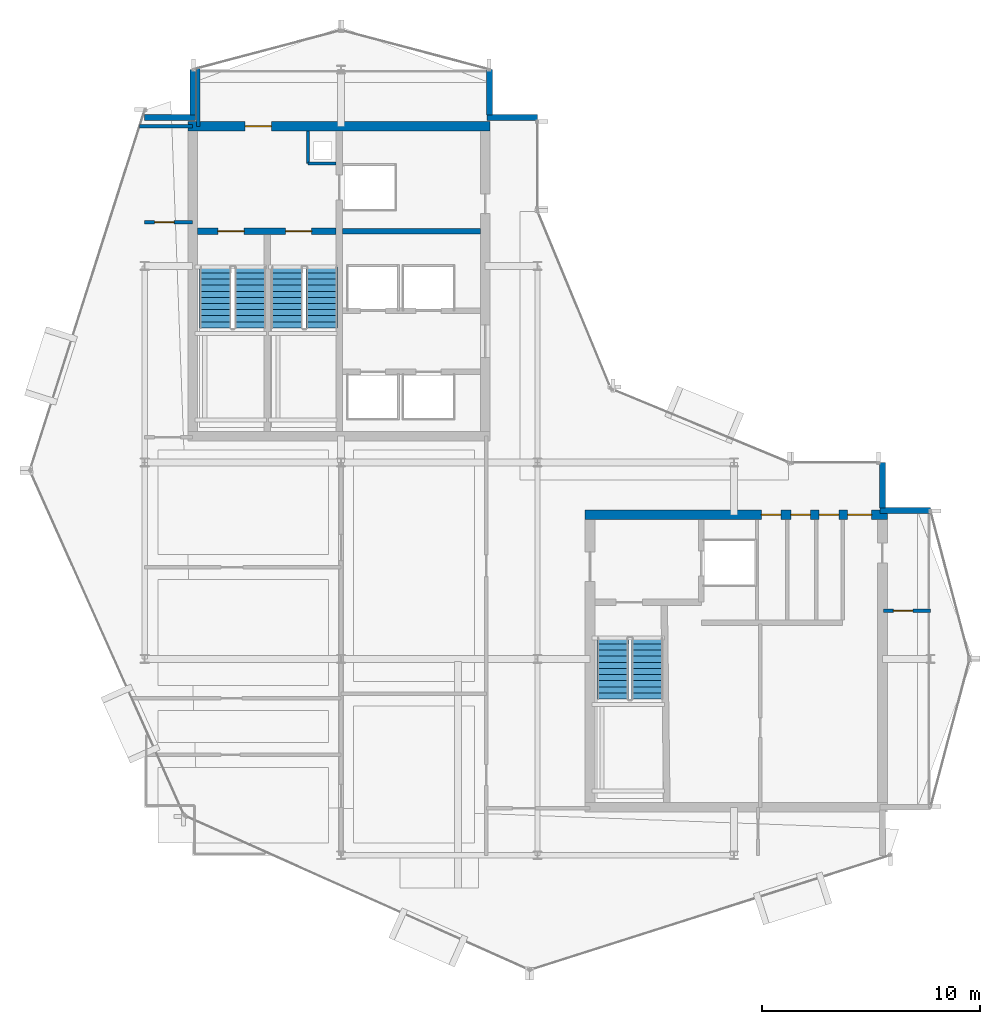
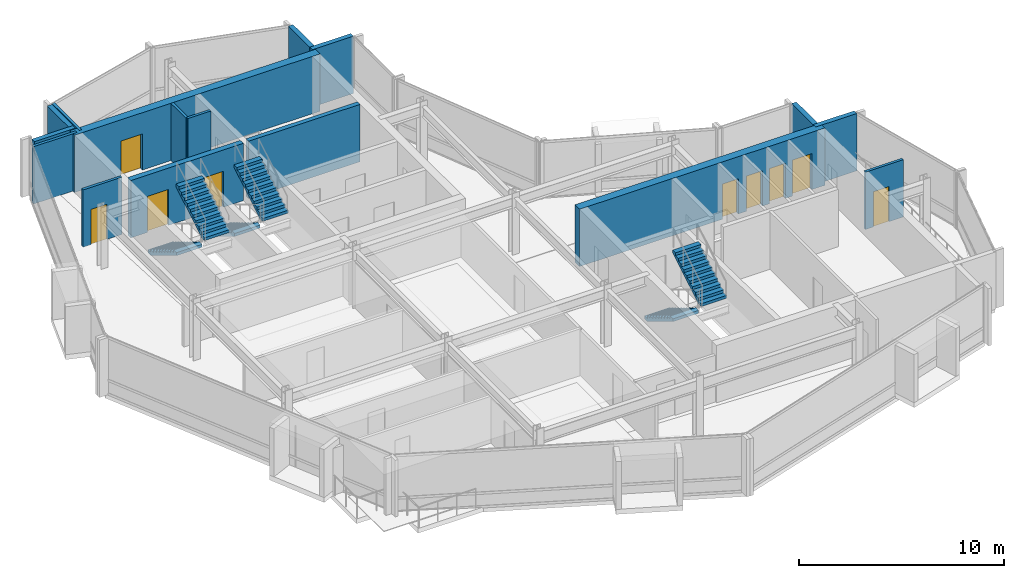
# One storey, part 15 of 19: 16 walls, 9 doors, 6 stair flights, 9 openings, 3 elements without a shape of their own.
"""IFC4 building model written with IfcOpenShell, lengths in metres."""

from ifc_helpers import new_model, si_unit, direction, frame, frame_2d, origin, place, context, subcontext, project, spatial, polyline, rectangle, outline, extrude, material, layer, layer_set, type_object, element, fill, aggregate, save


model = new_model("IFC4")

# Units and contexts
model_context = context("Model", 3, precision=1e-05, world=origin(), true_north=direction((0.0, 1.0)))
body_context = subcontext(model_context, "Body", "Model", "MODEL_VIEW")
ifc_project = project(units=[si_unit("LENGTHUNIT", "METRE"), si_unit("AREAUNIT", "SQUARE_METRE"), si_unit("VOLUMEUNIT", "CUBIC_METRE"), si_unit("PLANEANGLEUNIT", "RADIAN"), si_unit("MASSUNIT", "GRAM", prefix="KILO")], contexts=[model_context])

# Site, building, storey
site_placement = place(None, origin())
site = spatial("IfcSite", under=ifc_project, at=site_placement, CompositionType="ELEMENT")
building_placement = place(site_placement, origin())
building = spatial("IfcBuilding", under=site, at=building_placement, Name="Solvaryn Broadcast Tower", CompositionType="ELEMENT")
storey_placement = place(building_placement, frame((0.0, 0.0, 240.800048828125)))
storey = spatial("IfcBuildingStorey", under=building, at=storey_placement, Name="L60", CompositionType="ELEMENT", Elevation=240.800048828125)

# Wall, opening, door
ifc_material_1 = material(Name="Concrete f'c 70 MPa", Category="concrete")
ifc_layer_1 = layer(ifc_material_1, 0.449951171875)
ifc_layer_set_1 = layer_set([ifc_layer_1], Name="CW-SHEAR-450")
wall_type_1 = type_object("IfcWallType", Name="CW-SHEAR-450", PredefinedType="SHEAR", material=ifc_layer_set_1)
wall_1_placement = place(storey_placement, frame((24.824951171875, 42.39990234375, 0.0), z_axis=(0.0, 0.0, 1.0), x_axis=(-1.0, 0.0, 0.0)))
wall_1 = element("IfcWall", 1, at=wall_1_placement, inside=storey, type_object=wall_type_1, Name="L60 West Core North Shear Wall", PredefinedType="SHEAR", context=body_context, shape_type="SweptSolid", body=[
    extrude(rectangle(XDim=13.849853515625, YDim=0.449951171875, at=frame_2d((6.9248046875, 0.0))), origin(), (0.0, 0.0, 1.0), 3.419921875),
])
opening_1_placement = place(wall_1_placement, frame((10.02490234375, 0.0, 0.0)))
opening_1 = element("IfcOpeningElement", 2, at=opening_1_placement, cuts=wall_1, Name="Opening FD90A", PredefinedType="OPENING", context=body_context, shape_type="SweptSolid", body=[
    extrude(rectangle(XDim=1.199951171875, YDim=2.14990234375, at=frame_2d((0.60009765625, 1.074951171875))), frame((0.0, 0.235107421875, 0.0), z_axis=(0.0, -1.0, 0.0), x_axis=(1.0, 0.0, 0.0)), (0.0, 0.0, 1.0), 0.469970703125),
])
ifc_material_2 = material(Name="Flush Acoustic Steel and Timber Door Assembly", Category="steel")
door_type_1 = type_object("IfcDoorType", Name="FD90-STAIR-1200X2150", OperationType="NOTDEFINED", PredefinedType="DOOR", material=ifc_material_2)
door_1_placement = place(opening_1_placement, origin())
door_1 = element("IfcDoor", 3, at=door_1_placement, inside=storey, type_object=door_type_1, Name="L60 West FSAE Lobby Corridor Door", OperationType="SINGLE_SWING_LEFT", OverallHeight=2.14990234375, OverallWidth=1.199951171875, PredefinedType="DOOR", context=body_context, shape_type="SweptSolid", body=[
    extrude(rectangle(XDim=1.199951171875, YDim=2.14990234375, at=frame_2d((0.60009765625, 1.074951171875))), frame((0.0, 0.02490234375, 0.0), z_axis=(0.0, -1.0, 0.0), x_axis=(1.0, 0.0, 0.0)), (0.0, 0.0, 1.0), 0.050048828125),
])
fill(opening_1, door_1)

# Wall, openings, doors
wall_2_placement = place(storey_placement, frame((43.02490234375, 24.60009765625, 0.0), z_axis=(0.0, 0.0, 1.0), x_axis=(-1.0, 0.0, 0.0)))
wall_2 = element("IfcWall", 4, at=wall_2_placement, inside=storey, type_object=wall_type_1, Name="L60 East Core North Shear Wall", PredefinedType="SHEAR", context=body_context, shape_type="SweptSolid", body=[
    extrude(rectangle(XDim=13.849853515625, YDim=0.449951171875, at=frame_2d((6.9248046875, 0.0))), origin(), (0.0, 0.0, 1.0), 3.419921875),
])
opening_2_placement = place(wall_2_placement, frame((0.72509765625, 0.0, 0.0)))
opening_2 = element("IfcOpeningElement", 5, at=opening_2_placement, cuts=wall_2, Name="Opening FD90C", PredefinedType="OPENING", context=body_context, shape_type="SweptSolid", body=[
    extrude(rectangle(XDim=1.10009765625, YDim=2.14990234375, at=frame_2d((0.550048828125, 1.074951171875))), frame((0.0, 0.235107421875, 0.0), z_axis=(0.0, -1.0, 0.0), x_axis=(1.0, 0.0, 0.0)), (0.0, 0.0, 1.0), 0.469970703125),
])
opening_3_placement = place(wall_2_placement, frame((2.22509765625, 0.0, 0.0)))
opening_3 = element("IfcOpeningElement", 6, at=opening_3_placement, cuts=wall_2, Name="Opening FD60C", PredefinedType="OPENING", context=body_context, shape_type="SweptSolid", body=[
    extrude(rectangle(XDim=0.89990234375, YDim=2.10009765625, at=frame_2d((0.449951171875, 1.050048828125))), frame((0.0, 0.235107421875, 0.0), z_axis=(0.0, -1.0, 0.0), x_axis=(1.0, 0.0, 0.0)), (0.0, 0.0, 1.0), 0.469970703125),
])
opening_4_placement = place(wall_2_placement, frame((3.52490234375, 0.0, 0.0)))
opening_4 = element("IfcOpeningElement", 7, at=opening_4_placement, cuts=wall_2, Name="Opening FD60C", PredefinedType="OPENING", context=body_context, shape_type="SweptSolid", body=[
    extrude(rectangle(XDim=0.89990234375, YDim=2.10009765625, at=frame_2d((0.449951171875, 1.050048828125))), frame((0.0, 0.235107421875, 0.0), z_axis=(0.0, -1.0, 0.0), x_axis=(1.0, 0.0, 0.0)), (0.0, 0.0, 1.0), 0.469970703125),
])
opening_5_placement = place(wall_2_placement, frame((4.875, 0.0, 0.0)))
opening_5 = element("IfcOpeningElement", 8, at=opening_5_placement, cuts=wall_2, Name="Opening FD60C", PredefinedType="OPENING", context=body_context, shape_type="SweptSolid", body=[
    extrude(rectangle(XDim=0.89990234375, YDim=2.10009765625, at=frame_2d((0.449951171875, 1.050048828125))), frame((0.0, 0.235107421875, 0.0), z_axis=(0.0, -1.0, 0.0), x_axis=(1.0, 0.0, 0.0)), (0.0, 0.0, 1.0), 0.469970703125),
])
ifc_material_3 = material(Name="Flush Acoustic Steel and Timber Door Assembly", Category="steel")
door_type_2 = type_object("IfcDoorType", Name="FD60-SERV-900X2100", OperationType="NOTDEFINED", PredefinedType="DOOR", material=ifc_material_3)
door_2_placement = place(opening_3_placement, origin())
door_2 = element("IfcDoor", 9, at=door_2_placement, inside=storey, type_object=door_type_2, Name="L60 Core Wellness Room Door", OperationType="SINGLE_SWING_RIGHT", OverallHeight=2.10009765625, OverallWidth=0.89990234375, PredefinedType="DOOR", context=body_context, shape_type="SweptSolid", body=[
    extrude(rectangle(XDim=0.89990234375, YDim=2.10009765625, at=frame_2d((0.449951171875, 1.050048828125))), frame((0.0, 0.02490234375, 0.0), z_axis=(0.0, -1.0, 0.0), x_axis=(1.0, 0.0, 0.0)), (0.0, 0.0, 1.0), 0.050048828125),
])
fill(opening_3, door_2)
door_3_placement = place(opening_4_placement, origin())
door_3 = element("IfcDoor", 10, at=door_3_placement, inside=storey, type_object=door_type_2, Name="L60 Staff Restroom Door", OperationType="SINGLE_SWING_LEFT", OverallHeight=2.10009765625, OverallWidth=0.89990234375, PredefinedType="DOOR", context=body_context, shape_type="SweptSolid", body=[
    extrude(rectangle(XDim=0.89990234375, YDim=2.10009765625, at=frame_2d((0.449951171875, 1.050048828125))), frame((0.0, 0.02490234375, 0.0), z_axis=(0.0, -1.0, 0.0), x_axis=(1.0, 0.0, 0.0)), (0.0, 0.0, 1.0), 0.050048828125),
])
fill(opening_4, door_3)
door_4_placement = place(opening_5_placement, origin())
door_4 = element("IfcDoor", 11, at=door_4_placement, inside=storey, type_object=door_type_2, Name="L60 Accessible WC Door", OperationType="SINGLE_SWING_RIGHT", OverallHeight=2.10009765625, OverallWidth=0.89990234375, PredefinedType="DOOR", context=body_context, shape_type="SweptSolid", body=[
    extrude(rectangle(XDim=0.89990234375, YDim=2.10009765625, at=frame_2d((0.449951171875, 1.050048828125))), frame((0.0, 0.02490234375, 0.0), z_axis=(0.0, -1.0, 0.0), x_axis=(1.0, 0.0, 0.0)), (0.0, 0.0, 1.0), 0.050048828125),
])
fill(opening_5, door_4)
ifc_material_4 = material(Name="Flush Acoustic Steel and Timber Door Assembly", Category="steel")
door_type_3 = type_object("IfcDoorType", Name="FD90-PLANT-1100X2150", OperationType="NOTDEFINED", PredefinedType="DOOR", material=ifc_material_4)
door_5_placement = place(opening_2_placement, origin())
door_5 = element("IfcDoor", 12, at=door_5_placement, inside=storey, type_object=door_type_3, Name="L60 East Core Lobby Corridor Door", OperationType="SINGLE_SWING_LEFT", OverallHeight=2.14990234375, OverallWidth=1.10009765625, PredefinedType="DOOR", context=body_context, shape_type="SweptSolid", body=[
    extrude(rectangle(XDim=1.10009765625, YDim=2.14990234375, at=frame_2d((0.550048828125, 1.074951171875))), frame((0.0, 0.02490234375, 0.0), z_axis=(0.0, -1.0, 0.0), x_axis=(1.0, 0.0, 0.0)), (0.0, 0.0, 1.0), 0.050048828125),
])
fill(opening_2, door_5)

# Walls
ifc_material_5 = material(Name="Concrete f'c 50 MPa", Category="concrete")
ifc_layer_2 = layer(ifc_material_5, 0.260009765625)
ifc_layer_set_2 = layer_set([ifc_layer_2], Name="EW-PIER-260")
wall_type_2 = type_object("IfcWallType", Name="EW-PIER-260", PredefinedType="SOLIDWALL", material=ifc_layer_set_2)
wall_3_placement = place(storey_placement, frame((9.0, 42.800048828125, 0.0), z_axis=(0.0, 0.0, 1.0), x_axis=(1.0, 0.0, 0.0)))
element("IfcWall", 13, at=wall_3_placement, inside=storey, type_object=wall_type_2, Name="L60 Notched Corner Pier Wall NNW1", PredefinedType="SOLIDWALL", context=body_context, shape_type="SweptSolid", body=[
    extrude(rectangle(XDim=2.320068359375, YDim=0.260009765625, at=frame_2d((1.16015625, 0.0))), origin(), (0.0, 0.0, 1.0), 3.419921875),
])
for number, where, z_axis, x_axis, name in (
    (14, (11.199951171875, 42.919921875, 0.0), (0.0, 0.0, 1.0), (0.0, 1.0, 0.0), "L60 Notched Corner Pier Wall NNW2"),
    (15, (24.800048828125, 45.0, 0.0), (0.0, 0.0, 1.0), (0.0, -1.0, 0.0), "L60 Notched Corner Pier Wall NNE1"),
):
    element("IfcWall", number, at=place(storey_placement, frame(where, z_axis=z_axis, x_axis=x_axis)), inside=storey, type_object=wall_type_2, Name=name, PredefinedType="SOLIDWALL", context=body_context, shape_type="SweptSolid", body=[
        extrude(rectangle(XDim=2.080078125, YDim=0.260009765625, at=frame_2d((1.0400390625, 0.0))), origin(), (0.0, 0.0, 1.0), 3.419921875),
    ])
for number, where, z_axis, x_axis, name in (
    (16, (24.679931640625, 42.800048828125, 0.0), (0.0, 0.0, 1.0), (1.0, 0.0, 0.0), "L60 Notched Corner Pier Wall NNE2"),
    (17, (45.0, 24.800048828125, 0.0), (0.0, 0.0, 1.0), (-1.0, 0.0, 0.0), "L60 Notched Corner Pier Wall NEE1"),
):
    element("IfcWall", number, at=place(storey_placement, frame(where, z_axis=z_axis, x_axis=x_axis)), inside=storey, type_object=wall_type_2, Name=name, PredefinedType="SOLIDWALL", context=body_context, shape_type="SweptSolid", body=[
        extrude(rectangle(XDim=2.320068359375, YDim=0.260009765625, at=frame_2d((1.16015625, 0.0))), origin(), (0.0, 0.0, 1.0), 3.419921875),
    ])
wall_4_placement = place(storey_placement, frame((42.800048828125, 24.919921875, 0.0), z_axis=(0.0, 0.0, 1.0), x_axis=(0.0, 1.0, 0.0)))
element("IfcWall", 18, at=wall_4_placement, inside=storey, type_object=wall_type_2, Name="L60 Notched Corner Pier Wall NEE2", PredefinedType="SOLIDWALL", context=body_context, shape_type="SweptSolid", body=[
    extrude(rectangle(XDim=2.080078125, YDim=0.260009765625, at=frame_2d((1.0400390625, 0.0))), origin(), (0.0, 0.0, 1.0), 3.419921875),
])
ifc_material_6 = material(Name="Metal-Stud Service Core Partition")
ifc_layer_3 = layer(ifc_material_6, 0.14990234375)
ifc_layer_set_3 = layer_set([ifc_layer_3], Name="IW-PART-150")
wall_type_3 = type_object("IfcWallType", Name="IW-PART-150", PredefinedType="PARTITIONING", material=ifc_layer_set_3)
wall_5_placement = place(storey_placement, frame((16.47998046875, 40.699951171875, 0.0), z_axis=(0.0, 0.0, 1.0), x_axis=(1.0, 0.0, 0.0)))
element("IfcWall", 19, at=wall_5_placement, inside=storey, type_object=wall_type_3, Name="L60 West Core Riser Shaft South Wall", PredefinedType="PARTITIONING", context=body_context, shape_type="SweptSolid", body=[
    extrude(rectangle(XDim=1.2900390625, YDim=0.14990234375, at=frame_2d((0.64501953125, 0.0))), origin(), (0.0, 0.0, 1.0), 3.419921875),
])
wall_6_placement = place(storey_placement, frame((16.47998046875, 40.699951171875, 0.0), z_axis=(0.0, 0.0, 1.0), x_axis=(0.0, 1.0, 0.0)))
element("IfcWall", 20, at=wall_6_placement, inside=storey, type_object=wall_type_3, Name="L60 West Core Riser Shaft West Wall", PredefinedType="PARTITIONING", context=body_context, shape_type="SweptSolid", body=[
    extrude(rectangle(XDim=1.47509765625, YDim=0.14990234375, at=frame_2d((0.737548828125, 0.0))), origin(), (0.0, 0.0, 1.0), 3.419921875),
])

# Wall, opening, door
wall_7_placement = place(storey_placement, frame((9.0, 38.0, 0.0), z_axis=(0.0, 0.0, 1.0), x_axis=(1.0, 0.0, 0.0)))
wall_7 = element("IfcWall", 21, at=wall_7_placement, inside=storey, type_object=wall_type_3, Name="L60 Interior Partition IW-L60-WM-M", PredefinedType="PARTITIONING", context=body_context, shape_type="SweptSolid", body=[
    extrude(rectangle(XDim=2.199951171875, YDim=0.14990234375, at=frame_2d((1.10009765625, 0.0))), origin(), (0.0, 0.0, 1.0), 3.419921875),
])
opening_6_placement = place(wall_7_placement, frame((0.449951171875, 0.0, 0.0)))
opening_6 = element("IfcOpeningElement", 22, at=opening_6_placement, cuts=wall_7, Name="Opening FD60C", PredefinedType="OPENING", context=body_context, shape_type="SweptSolid", body=[
    extrude(rectangle(XDim=0.89990234375, YDim=2.10009765625, at=frame_2d((0.449951171875, 1.050048828125))), frame((0.0, 0.0849609375, 0.0), z_axis=(0.0, -1.0, 0.0), x_axis=(1.0, 0.0, 0.0)), (0.0, 0.0, 1.0), 0.169921875),
])
door_6_placement = place(opening_6_placement, origin())
door_6 = element("IfcDoor", 23, at=door_6_placement, inside=storey, type_object=door_type_2, Name="L60 Door DR-L60-WM1", OperationType="SINGLE_SWING_LEFT", OverallHeight=2.10009765625, OverallWidth=0.89990234375, PredefinedType="DOOR", context=body_context, shape_type="SweptSolid", body=[
    extrude(rectangle(XDim=0.89990234375, YDim=2.10009765625, at=frame_2d((0.449951171875, 1.050048828125))), frame((0.0, 0.02490234375, 0.0), z_axis=(0.0, -1.0, 0.0), x_axis=(1.0, 0.0, 0.0)), (0.0, 0.0, 1.0), 0.050048828125),
])
fill(opening_6, door_6)

wall_8_placement = place(storey_placement, frame((42.85009765625, 20.199951171875, 0.0), z_axis=(0.0, 0.0, 1.0), x_axis=(1.0, 0.0, 0.0)))
wall_8 = element("IfcWall", 24, at=wall_8_placement, inside=storey, type_object=wall_type_3, Name="L60 Interior Partition IW-L60-E4M", PredefinedType="PARTITIONING", context=body_context, shape_type="SweptSolid", body=[
    extrude(rectangle(XDim=2.14990234375, YDim=0.14990234375, at=frame_2d((1.074951171875, 0.0))), origin(), (0.0, 0.0, 1.0), 3.419921875),
])
opening_7_placement = place(wall_8_placement, frame((0.449951171875, 0.0, 0.0)))
opening_7 = element("IfcOpeningElement", 25, at=opening_7_placement, cuts=wall_8, Name="Opening FD60C", PredefinedType="OPENING", context=body_context, shape_type="SweptSolid", body=[
    extrude(rectangle(XDim=0.89990234375, YDim=2.10009765625, at=frame_2d((0.449951171875, 1.050048828125))), frame((0.0, 0.0849609375, 0.0), z_axis=(0.0, -1.0, 0.0), x_axis=(1.0, 0.0, 0.0)), (0.0, 0.0, 1.0), 0.169921875),
])
door_7_placement = place(opening_7_placement, origin())
door_7 = element("IfcDoor", 26, at=door_7_placement, inside=storey, type_object=door_type_2, Name="L60 Door DR-L60-E4M", OperationType="SINGLE_SWING_LEFT", OverallHeight=2.10009765625, OverallWidth=0.89990234375, PredefinedType="DOOR", context=body_context, shape_type="SweptSolid", body=[
    extrude(rectangle(XDim=0.89990234375, YDim=2.10009765625, at=frame_2d((0.449951171875, 1.050048828125))), frame((0.0, 0.02490234375, 0.0), z_axis=(0.0, -1.0, 0.0), x_axis=(1.0, 0.0, 0.0)), (0.0, 0.0, 1.0), 0.050048828125),
])
fill(opening_7, door_7)

# Walls
ifc_material_7 = material(Name="Metal-Stud Gypsum Office Partition")
ifc_layer_4 = layer(ifc_material_7, 0.159912109375)
ifc_layer_set_4 = layer_set([ifc_layer_4], Name="IW-PART-160")
wall_type_4 = type_object("IfcWallType", Name="IW-PART-160", PredefinedType="PARTITIONING", material=ifc_layer_set_4)
wall_9_placement = place(storey_placement, frame((8.760986328125, 42.39990234375, 0.0), z_axis=(0.0, 0.0, 1.0), x_axis=(1.0, 0.0, 0.0)))
element("IfcWall", 27, at=wall_9_placement, inside=storey, type_object=wall_type_4, Name="L60 Interior Partition IW-L60-WM-N", PredefinedType="PARTITIONING", context=body_context, shape_type="SweptSolid", body=[
    extrude(rectangle(XDim=2.43896484375, YDim=0.159912109375, at=frame_2d((1.219482421875, 0.0))), origin(), (0.0, 0.0, 1.0), 3.419921875),
])
wall_10_placement = place(storey_placement, frame((11.449951171875, 42.39990234375, 0.0), z_axis=(0.0, 0.0, 1.0), x_axis=(0.0, 1.0, 0.0)))
element("IfcWall", 28, at=wall_10_placement, inside=storey, type_object=wall_type_4, Name="L60 Interior Partition IW-L60-WM-E", PredefinedType="PARTITIONING", context=body_context, shape_type="SweptSolid", body=[
    extrude(rectangle(XDim=2.666015625, YDim=0.159912109375, at=frame_2d((1.3330078125, 0.0))), origin(), (0.0, 0.0, 1.0), 3.419921875),
])
ifc_material_8 = material(Name="Concrete f'c 60 MPa", Category="concrete")
ifc_layer_5 = layer(ifc_material_8, 0.25)
ifc_layer_set_5 = layer_set([ifc_layer_5], Name="SW-SHAFT-250")
wall_type_5 = type_object("IfcWallType", Name="SW-SHAFT-250", PredefinedType="PARTITIONING", material=ifc_layer_set_5)
wall_11_placement = place(storey_placement, frame((18.070068359375, 37.60009765625, 0.0), z_axis=(0.0, 0.0, 1.0), x_axis=(1.0, 0.0, 0.0)))
element("IfcWall", 29, at=wall_11_placement, inside=storey, type_object=wall_type_5, Name="L60 West Core FSAE Hoistway Front Wall", PredefinedType="PARTITIONING", context=body_context, shape_type="SweptSolid", body=[
    extrude(rectangle(XDim=6.304931640625, YDim=0.25, at=frame_2d((3.15234375, 0.0))), origin(), (0.0, 0.0, 1.0), 3.419921875),
])

# Wall, openings, doors
ifc_material_9 = material(Name="Concrete f'c 70 MPa", Category="concrete")
ifc_layer_6 = layer(ifc_material_9, 0.300048828125)
ifc_layer_set_6 = layer_set([ifc_layer_6], Name="SW-SHAFT-300")
wall_type_6 = type_object("IfcWallType", Name="SW-SHAFT-300", PredefinedType="SHEAR", material=ifc_layer_set_6)
wall_12_placement = place(storey_placement, frame((17.77001953125, 37.60009765625, 0.0), z_axis=(0.0, 0.0, 1.0), x_axis=(-1.0, 0.0, 0.0)))
wall_12 = element("IfcWall", 30, at=wall_12_placement, inside=storey, type_object=wall_type_6, Name="L60 West Core FSAE Lobby South Wall", PredefinedType="SHEAR", context=body_context, shape_type="SweptSolid", body=[
    extrude(rectangle(XDim=6.344970703125, YDim=0.300048828125, at=frame_2d((3.17236328125, 0.0))), origin(), (0.0, 0.0, 1.0), 3.419921875),
])
opening_8_placement = place(wall_12_placement, frame((4.219970703125, 0.0, 0.0)))
opening_8 = element("IfcOpeningElement", 31, at=opening_8_placement, cuts=wall_12, Name="Opening FD90A", PredefinedType="OPENING", context=body_context, shape_type="SweptSolid", body=[
    extrude(rectangle(XDim=1.199951171875, YDim=2.14990234375, at=frame_2d((0.60009765625, 1.074951171875))), frame((0.0, 0.159912109375, 0.0), z_axis=(0.0, -1.0, 0.0), x_axis=(1.0, 0.0, 0.0)), (0.0, 0.0, 1.0), 0.320068359375),
])
opening_9_placement = place(wall_12_placement, frame((1.1201171875, 0.0, 0.0)))
opening_9 = element("IfcOpeningElement", 32, at=opening_9_placement, cuts=wall_12, Name="Opening FD90A", PredefinedType="OPENING", context=body_context, shape_type="SweptSolid", body=[
    extrude(rectangle(XDim=1.199951171875, YDim=2.14990234375, at=frame_2d((0.60009765625, 1.074951171875))), frame((0.0, 0.159912109375, 0.0), z_axis=(0.0, -1.0, 0.0), x_axis=(1.0, 0.0, 0.0)), (0.0, 0.0, 1.0), 0.320068359375),
])
door_8_placement = place(opening_8_placement, origin())
door_8 = element("IfcDoor", 33, at=door_8_placement, inside=storey, type_object=door_type_1, Name="L60 Stair 1 Fire Door", OperationType="SINGLE_SWING_LEFT", OverallHeight=2.14990234375, OverallWidth=1.199951171875, PredefinedType="DOOR", context=body_context, shape_type="SweptSolid", body=[
    extrude(rectangle(XDim=1.199951171875, YDim=2.14990234375, at=frame_2d((0.60009765625, 1.074951171875))), frame((0.0, 0.02490234375, 0.0), z_axis=(0.0, -1.0, 0.0), x_axis=(1.0, 0.0, 0.0)), (0.0, 0.0, 1.0), 0.050048828125),
])
fill(opening_8, door_8)
door_9_placement = place(opening_9_placement, origin())
door_9 = element("IfcDoor", 34, at=door_9_placement, inside=storey, type_object=door_type_1, Name="L60 Stair 2 Fire Door", OperationType="SINGLE_SWING_RIGHT", OverallHeight=2.14990234375, OverallWidth=1.199951171875, PredefinedType="DOOR", context=body_context, shape_type="SweptSolid", body=[
    extrude(rectangle(XDim=1.199951171875, YDim=2.14990234375, at=frame_2d((0.60009765625, 1.074951171875))), frame((0.0, 0.02490234375, 0.0), z_axis=(0.0, -1.0, 0.0), x_axis=(1.0, 0.0, 0.0)), (0.0, 0.0, 1.0), 0.050048828125),
])
fill(opening_9, door_9)

# Stair, stair flights
ifc_material_10 = material(Name="Concrete f'c 60 MPa", Category="concrete")
stair_type = type_object("IfcStairType", Name="ST-CORE", PredefinedType="HALF_TURN_STAIR", material=ifc_material_10)
stair_1_placement = place(storey_placement, origin())
stair_1 = element("IfcStair", 35, at=stair_1_placement, inside=storey, type_object=stair_type, Name="L60 ST1", PredefinedType="HALF_TURN_STAIR")
ifc_material_11 = material(Name="Concrete f'c 60 MPa", Category="concrete")
ifc_layer_7 = layer(ifc_material_11, 0.159912109375)
ifc_layer_set_7 = layer_set([ifc_layer_7], Name="SF-CORE")
stair_flight_type = type_object("IfcStairFlightType", Name="SF-CORE", PredefinedType="STRAIGHT", material=ifc_layer_set_7)
stair_flight_1_placement = place(storey_placement, frame((12.239990234375, 35.9599609375, 0.0), z_axis=(0.0, 0.0, 1.0), x_axis=(0.0, -1.0, 0.0)))
stair_flight_1 = element("IfcStairFlight", 36, at=stair_flight_1_placement, type_object=stair_flight_type, Name="ST1 flight 1", NumberOfRisers=11, NumberOfTreads=10, PredefinedType="STRAIGHT", RiserHeight=0.168181818, TreadLength=0.28, context=body_context, shape_type="SweptSolid", body=[
    extrude(outline(polyline([(0.0, 0.0), (0.0, 0.168212890625), (0.280029296875, 0.168212890625), (0.280029296875, 0.33642578125), (0.56005859375, 0.33642578125), (0.56005859375, 0.504638671875), (0.840087890625, 0.504638671875), (0.840087890625, 0.672607421875), (1.1201171875, 0.672607421875), (1.1201171875, 0.8408203125), (1.39990234375, 0.8408203125), (1.39990234375, 1.009033203125), (1.679931640625, 1.009033203125), (1.679931640625, 1.17724609375), (1.9599609375, 1.17724609375), (1.9599609375, 1.345458984375), (2.239990234375, 1.345458984375), (2.239990234375, 1.513671875), (2.52001953125, 1.513671875), (2.52001953125, 1.681884765625), (2.800048828125, 1.681884765625), (2.800048828125, 1.85009765625), (2.800048828125, 1.5068359375), (0.291015625, 0.0), (0.0, 0.0)])), frame((0.0, 0.719970703125, 0.0), z_axis=(0.0, -1.0, 0.0), x_axis=(1.0, 0.0, 0.0)), (0.0, 0.0, 1.0), 1.43994140625),
])
stair_flight_2_placement = place(storey_placement, frame((13.830078125, 33.159912109375, 1.849853515625), z_axis=(0.0, 0.0, 1.0), x_axis=(0.0, 1.0, 0.0)))
stair_flight_2 = element("IfcStairFlight", 37, at=stair_flight_2_placement, type_object=stair_flight_type, Name="ST1 flight 2", NumberOfRisers=11, NumberOfTreads=10, PredefinedType="STRAIGHT", RiserHeight=0.168181818, TreadLength=0.28, context=body_context, shape_type="SweptSolid", body=[
    extrude(outline(polyline([(0.0, 0.0), (0.0, 0.168212890625), (0.280029296875, 0.168212890625), (0.280029296875, 0.33642578125), (0.56005859375, 0.33642578125), (0.56005859375, 0.504638671875), (0.840087890625, 0.504638671875), (0.840087890625, 0.672607421875), (1.1201171875, 0.672607421875), (1.1201171875, 0.8408203125), (1.39990234375, 0.8408203125), (1.39990234375, 1.009033203125), (1.679931640625, 1.009033203125), (1.679931640625, 1.17724609375), (1.9599609375, 1.17724609375), (1.9599609375, 1.345458984375), (2.239990234375, 1.345458984375), (2.239990234375, 1.513671875), (2.52001953125, 1.513671875), (2.52001953125, 1.681884765625), (2.800048828125, 1.681884765625), (2.800048828125, 1.85009765625), (2.800048828125, 1.5068359375), (0.291015625, 0.0), (0.0, 0.0)])), frame((0.0, 0.719970703125, 0.0), z_axis=(0.0, -1.0, 0.0), x_axis=(1.0, 0.0, 0.0)), (0.0, 0.0, 1.0), 1.43994140625),
])
aggregate(stair_1, [stair_flight_1, stair_flight_2])

stair_2_placement = place(storey_placement, origin())
stair_2 = element("IfcStair", 38, at=stair_2_placement, inside=storey, type_object=stair_type, Name="L60 ST2", PredefinedType="HALF_TURN_STAIR")
stair_flight_3_placement = place(storey_placement, frame((15.52001953125, 35.9599609375, 0.0), z_axis=(0.0, 0.0, 1.0), x_axis=(0.0, -1.0, 0.0)))
stair_flight_3 = element("IfcStairFlight", 39, at=stair_flight_3_placement, type_object=stair_flight_type, Name="ST2 flight 1", NumberOfRisers=11, NumberOfTreads=10, PredefinedType="STRAIGHT", RiserHeight=0.168181818, TreadLength=0.28, context=body_context, shape_type="SweptSolid", body=[
    extrude(outline(polyline([(0.0, 0.0), (0.0, 0.168212890625), (0.280029296875, 0.168212890625), (0.280029296875, 0.33642578125), (0.56005859375, 0.33642578125), (0.56005859375, 0.504638671875), (0.840087890625, 0.504638671875), (0.840087890625, 0.672607421875), (1.1201171875, 0.672607421875), (1.1201171875, 0.8408203125), (1.39990234375, 0.8408203125), (1.39990234375, 1.009033203125), (1.679931640625, 1.009033203125), (1.679931640625, 1.17724609375), (1.9599609375, 1.17724609375), (1.9599609375, 1.345458984375), (2.239990234375, 1.345458984375), (2.239990234375, 1.513671875), (2.52001953125, 1.513671875), (2.52001953125, 1.681884765625), (2.800048828125, 1.681884765625), (2.800048828125, 1.85009765625), (2.800048828125, 1.5068359375), (0.291015625, 0.0), (0.0, 0.0)])), frame((0.0, 0.719970703125, 0.0), z_axis=(0.0, -1.0, 0.0), x_axis=(1.0, 0.0, 0.0)), (0.0, 0.0, 1.0), 1.43994140625),
])
stair_flight_4_placement = place(storey_placement, frame((17.110107421875, 33.159912109375, 1.849853515625), z_axis=(0.0, 0.0, 1.0), x_axis=(0.0, 1.0, 0.0)))
stair_flight_4 = element("IfcStairFlight", 40, at=stair_flight_4_placement, type_object=stair_flight_type, Name="ST2 flight 2", NumberOfRisers=11, NumberOfTreads=10, PredefinedType="STRAIGHT", RiserHeight=0.168181818, TreadLength=0.28, context=body_context, shape_type="SweptSolid", body=[
    extrude(outline(polyline([(0.0, 0.0), (0.0, 0.168212890625), (0.280029296875, 0.168212890625), (0.280029296875, 0.33642578125), (0.56005859375, 0.33642578125), (0.56005859375, 0.504638671875), (0.840087890625, 0.504638671875), (0.840087890625, 0.672607421875), (1.1201171875, 0.672607421875), (1.1201171875, 0.8408203125), (1.39990234375, 0.8408203125), (1.39990234375, 1.009033203125), (1.679931640625, 1.009033203125), (1.679931640625, 1.17724609375), (1.9599609375, 1.17724609375), (1.9599609375, 1.345458984375), (2.239990234375, 1.345458984375), (2.239990234375, 1.513671875), (2.52001953125, 1.513671875), (2.52001953125, 1.681884765625), (2.800048828125, 1.681884765625), (2.800048828125, 1.85009765625), (2.800048828125, 1.5068359375), (0.291015625, 0.0), (0.0, 0.0)])), frame((0.0, 0.719970703125, 0.0), z_axis=(0.0, -1.0, 0.0), x_axis=(1.0, 0.0, 0.0)), (0.0, 0.0, 1.0), 1.43994140625),
])
aggregate(stair_2, [stair_flight_3, stair_flight_4])

stair_3_placement = place(storey_placement, origin())
stair_3 = element("IfcStair", 41, at=stair_3_placement, inside=storey, type_object=stair_type, Name="L60 ST3", PredefinedType="HALF_TURN_STAIR")
stair_flight_5_placement = place(storey_placement, frame((30.43994140625, 18.9599609375, 0.0), z_axis=(0.0, 0.0, 1.0), x_axis=(0.0, -1.0, 0.0)))
stair_flight_5 = element("IfcStairFlight", 42, at=stair_flight_5_placement, type_object=stair_flight_type, Name="ST3 flight 1", NumberOfRisers=11, NumberOfTreads=10, PredefinedType="STRAIGHT", RiserHeight=0.168181818, TreadLength=0.28, context=body_context, shape_type="SweptSolid", body=[
    extrude(outline(polyline([(0.0, 0.0), (0.0, 0.168212890625), (0.280029296875, 0.168212890625), (0.280029296875, 0.33642578125), (0.56005859375, 0.33642578125), (0.56005859375, 0.504638671875), (0.840087890625, 0.504638671875), (0.840087890625, 0.672607421875), (1.1201171875, 0.672607421875), (1.1201171875, 0.8408203125), (1.39990234375, 0.8408203125), (1.39990234375, 1.009033203125), (1.679931640625, 1.009033203125), (1.679931640625, 1.17724609375), (1.9599609375, 1.17724609375), (1.9599609375, 1.345458984375), (2.239990234375, 1.345458984375), (2.239990234375, 1.513671875), (2.52001953125, 1.513671875), (2.52001953125, 1.681884765625), (2.800048828125, 1.681884765625), (2.800048828125, 1.85009765625), (2.800048828125, 1.5068359375), (0.291015625, 0.0), (0.0, 0.0)])), frame((0.0, 0.719970703125, 0.0), z_axis=(0.0, -1.0, 0.0), x_axis=(1.0, 0.0, 0.0)), (0.0, 0.0, 1.0), 1.43994140625),
])
stair_flight_6_placement = place(storey_placement, frame((32.030029296875, 16.159912109375, 1.849853515625), z_axis=(0.0, 0.0, 1.0), x_axis=(0.0, 1.0, 0.0)))
stair_flight_6 = element("IfcStairFlight", 43, at=stair_flight_6_placement, type_object=stair_flight_type, Name="ST3 flight 2", NumberOfRisers=11, NumberOfTreads=10, PredefinedType="STRAIGHT", RiserHeight=0.168181818, TreadLength=0.28, context=body_context, shape_type="SweptSolid", body=[
    extrude(outline(polyline([(0.0, 0.0), (0.0, 0.168212890625), (0.280029296875, 0.168212890625), (0.280029296875, 0.33642578125), (0.56005859375, 0.33642578125), (0.56005859375, 0.504638671875), (0.840087890625, 0.504638671875), (0.840087890625, 0.672607421875), (1.1201171875, 0.672607421875), (1.1201171875, 0.8408203125), (1.39990234375, 0.8408203125), (1.39990234375, 1.009033203125), (1.679931640625, 1.009033203125), (1.679931640625, 1.17724609375), (1.9599609375, 1.17724609375), (1.9599609375, 1.345458984375), (2.239990234375, 1.345458984375), (2.239990234375, 1.513671875), (2.52001953125, 1.513671875), (2.52001953125, 1.681884765625), (2.800048828125, 1.681884765625), (2.800048828125, 1.85009765625), (2.800048828125, 1.5068359375), (0.291015625, 0.0), (0.0, 0.0)])), frame((0.0, 0.719970703125, 0.0), z_axis=(0.0, -1.0, 0.0), x_axis=(1.0, 0.0, 0.0)), (0.0, 0.0, 1.0), 1.43994140625),
])
aggregate(stair_3, [stair_flight_5, stair_flight_6])

save(model, "model.ifc")
